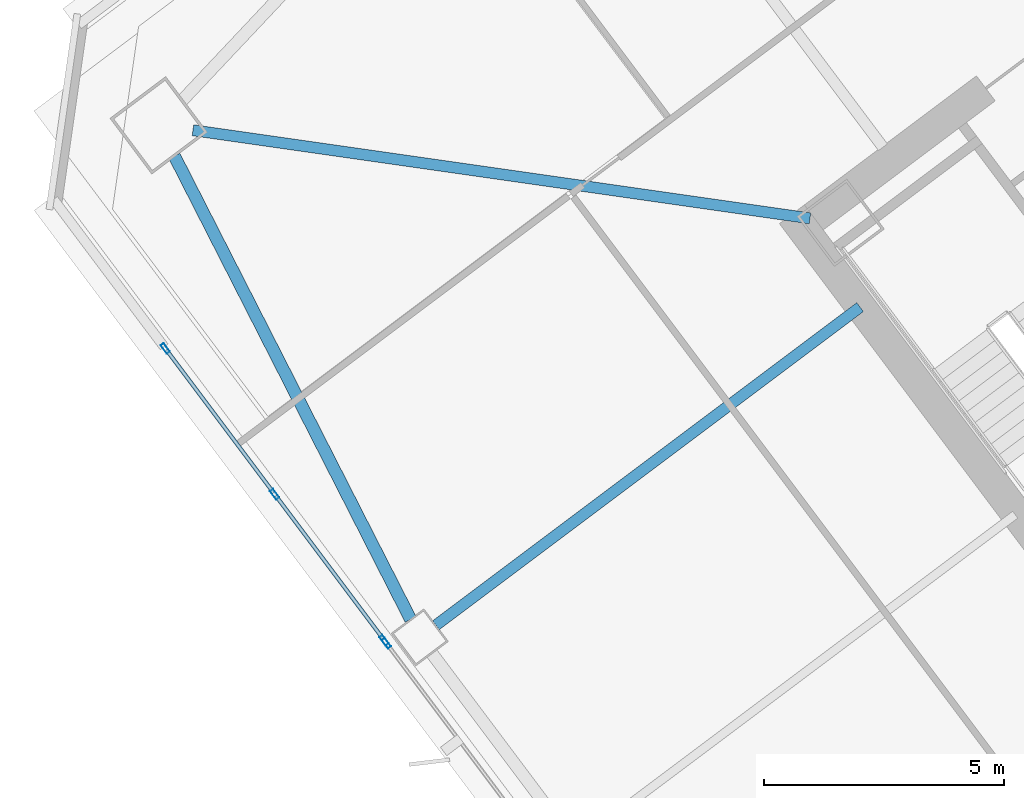
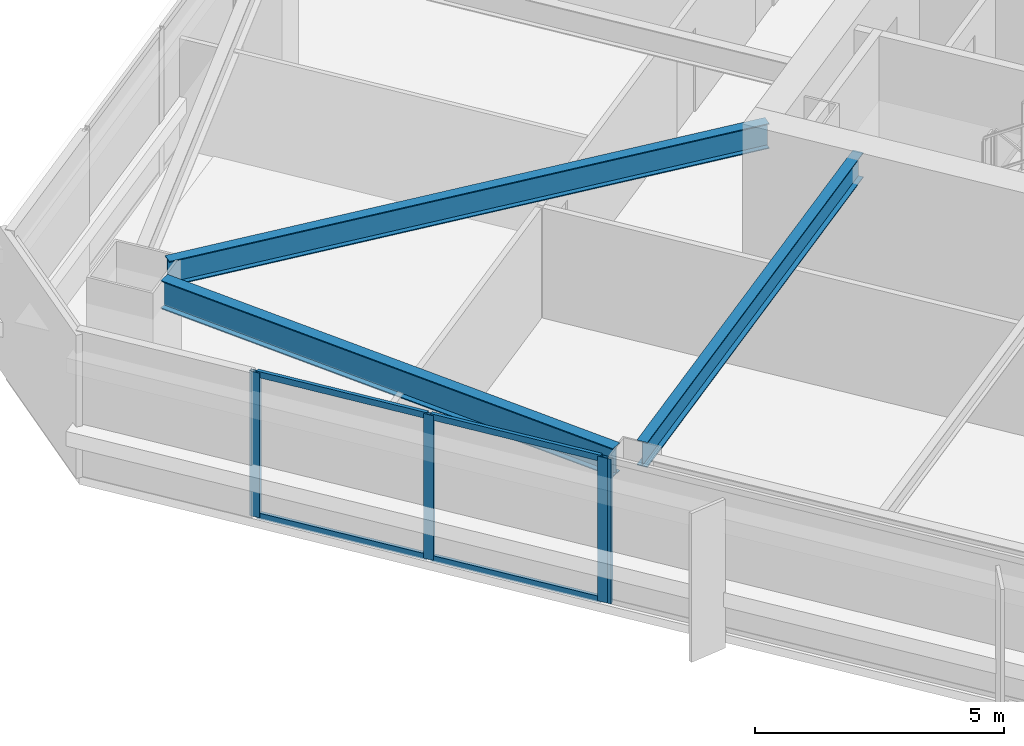
# One storey, part 23 of 49: 8 members, 3 beams, 2 elements without a shape of their own.
"""IFC4 building model written with IfcOpenShell, lengths in metres."""

from ifc_helpers import new_model, si_unit, direction, frame, origin, origin_2d, place, context, subcontext, project, spatial, hollow_rectangle, i_section, extrude, material, material_profile, profile_set, type_object, element, aggregate, save


model = new_model("IFC4")

# Units and contexts
model_context = context("Model", 3, precision=1e-05, world=origin(), true_north=direction((0.0, 1.0)))
body_context = subcontext(model_context, "Body", "Model", "MODEL_VIEW")
ifc_project = project(units=[si_unit("LENGTHUNIT", "METRE"), si_unit("AREAUNIT", "SQUARE_METRE"), si_unit("VOLUMEUNIT", "CUBIC_METRE"), si_unit("PLANEANGLEUNIT", "RADIAN"), si_unit("MASSUNIT", "GRAM", prefix="KILO")], contexts=[model_context])

# Site, building, storey
site_placement = place(None, origin())
site = spatial("IfcSite", under=ifc_project, at=site_placement, CompositionType="ELEMENT")
building_placement = place(site_placement, origin())
building = spatial("IfcBuilding", under=site, at=building_placement, Name="Tashvorn Skyway Center", CompositionType="ELEMENT")
storey_placement = place(building_placement, frame((0.0, 0.0, 70.75)))
storey = spatial("IfcBuildingStorey", under=building, at=storey_placement, Name="L18", CompositionType="ELEMENT", Elevation=70.75)

# Beams
ifc_material_1 = material(Name="Steel ASTM A992 Grade 50", Category="steel")
ifc_material_profile_1 = material_profile(ifc_material_1, i_section(OverallWidth=0.22998046875, OverallDepth=0.616943359375, WebThickness=0.01318359375, FlangeThickness=0.022216796875, at=origin_2d()), Name="W24X94")
ifc_profile_set_1 = profile_set([ifc_material_profile_1], Name="Steel ASTM A992 Grade 50")
beam_type_1 = type_object("IfcBeamType", Name="BM-BEAM-W24X94", PredefinedType="BEAM", material=ifc_profile_set_1)
beam_1_placement = place(storey_placement, frame((90.6328125, 35.338134765625, 3.04150390625), z_axis=(0.989949869571, -0.141418724841, 0.0), x_axis=(0.141418724841, 0.989949869571, 0.0)))
element("IfcBeam", 1, at=beam_1_placement, inside=storey, type_object=beam_type_1, Name="Tower 2 L18 Primary Floor Girder MC-NW", PredefinedType="BEAM", context=body_context, shape_type="SweptSolid", body=[
    extrude(i_section(OverallWidth=0.22998046875, OverallDepth=0.616943359375, WebThickness=0.01318359375, FlangeThickness=0.022216796875, at=origin_2d()), origin(), (0.0, 0.0, 1.0), 12.9892578125),
])
beam_2_placement = place(storey_placement, frame((95.696044921875, 25.02197265625, 3.04150390625), z_axis=(0.799989394625, 0.60001414024, 0.0), x_axis=(-0.60001414024, 0.799989394625, 0.0)))
element("IfcBeam", 2, at=beam_2_placement, inside=storey, type_object=beam_type_1, Name="Tower 2 L18 Primary Floor Girder FC-W1", PredefinedType="BEAM", context=body_context, shape_type="SweptSolid", body=[
    extrude(i_section(OverallWidth=0.22998046875, OverallDepth=0.616943359375, WebThickness=0.01318359375, FlangeThickness=0.022216796875, at=origin_2d()), origin(), (0.0, 0.0, 1.0), 11.050048828125),
])
ifc_material_profile_2 = material_profile(ifc_material_1, i_section(OverallWidth=0.256103515625, OverallDepth=0.693115234375, WebThickness=0.014404296875, FlangeThickness=0.023681640625, at=origin_2d()), Name="W27X114")
ifc_profile_set_2 = profile_set([ifc_material_profile_2], Name="Steel ASTM A992 Grade 50")
beam_type_2 = type_object("IfcBeamType", Name="BM-SPANDREL-W27X114", PredefinedType="SPANDREL", material=ifc_profile_set_2)
beam_3_placement = place(storey_placement, frame((90.2470703125, 34.798583984375, 3.00341796875), z_axis=(0.454210938961, -0.890894170442, 0.0), x_axis=(0.890894170442, 0.454210938961, 0.0)))
element("IfcBeam", 3, at=beam_3_placement, inside=storey, type_object=beam_type_2, Name="Tower 2 L18 Spandrel Beam 10", PredefinedType="SPANDREL", context=body_context, shape_type="SweptSolid", body=[
    extrude(i_section(OverallWidth=0.256103515625, OverallDepth=0.693115234375, WebThickness=0.014404296875, FlangeThickness=0.023681640625, at=origin_2d()), origin(), (0.0, 0.0, 1.0), 10.836669921875),
])

# Curtain wall, member
ifc_material_2 = material(Name="Thermally broken bronze-anodized aluminium 6063-T6", Category="aluminium")
curtain_wall_type = type_object("IfcCurtainWallType", Name="CW-CW-Z2", PredefinedType="NOTDEFINED", material=ifc_material_2)
curtain_wall_1_placement = place(storey_placement, origin())
curtain_wall_1 = element("IfcCurtainWall", 4, at=curtain_wall_1_placement, inside=storey, type_object=curtain_wall_type, Name="Tower 2 L18 West Unitised Curtain Wall Glazing Group 2", PredefinedType="NOTDEFINED")
ifc_material_profile_3 = material_profile(ifc_material_2, hollow_rectangle(XDim=0.080078125, YDim=0.219970703125, WallThickness=0.0048828125, at=origin_2d()), Name="ALU-MULL-80x220")
ifc_profile_set_3 = profile_set([ifc_material_profile_3], Name="Thermally broken bronze-anodized aluminium 6063-T6")
member_type_1 = type_object("IfcMemberType", Name="CWM-CW-Z2", PredefinedType="MULLION", material=ifc_profile_set_3)
member_1_placement = place(storey_placement, frame((94.6640625, 24.64794921875, 0.0), z_axis=(0.0, 0.0, 1.0), x_axis=(-0.799999999998, -0.600000000002, 0.0)))
member_1 = element("IfcMember", 5, at=member_1_placement, type_object=member_type_1, Name="CW-Z2 mullion 2", PredefinedType="MULLION", context=body_context, shape_type="SweptSolid", body=[
    extrude(hollow_rectangle(XDim=0.080078125, YDim=0.219970703125, WallThickness=0.0048828125, at=origin_2d()), origin(), (0.0, 0.0, 1.0), 3.550048828125),
])
aggregate(curtain_wall_1, [member_1])

# Curtain wall, members
curtain_wall_2_placement = place(storey_placement, origin())
curtain_wall_2 = element("IfcCurtainWall", 6, at=curtain_wall_2_placement, inside=storey, type_object=curtain_wall_type, Name="Tower 2 L18 West Unitised Curtain Wall Glazing Group 3", PredefinedType="NOTDEFINED")
member_2_placement = place(storey_placement, frame((94.615966796875, 24.7119140625, 0.0), z_axis=(0.0, 0.0, 1.0), x_axis=(-0.799999999998, -0.600000000002, 0.0)))
member_2 = element("IfcMember", 7, at=member_2_placement, type_object=member_type_1, Name="CW-Z2 mullion 1", PredefinedType="MULLION", context=body_context, shape_type="SweptSolid", body=[
    extrude(hollow_rectangle(XDim=0.080078125, YDim=0.219970703125, WallThickness=0.0048828125, at=origin_2d()), origin(), (0.0, 0.0, 1.0), 3.550048828125),
])
member_3_placement = place(storey_placement, frame((92.3359375, 27.751953125, 0.0), z_axis=(0.0, 0.0, 1.0), x_axis=(-0.799999999998, -0.600000000002, 0.0)))
member_3 = element("IfcMember", 8, at=member_3_placement, type_object=member_type_1, Name="CW-Z2 mullion 2", PredefinedType="MULLION", context=body_context, shape_type="SweptSolid", body=[
    extrude(hollow_rectangle(XDim=0.080078125, YDim=0.219970703125, WallThickness=0.0048828125, at=origin_2d()), origin(), (0.0, 0.0, 1.0), 3.550048828125),
])
member_4_placement = place(storey_placement, frame((90.055908203125, 30.7919921875, 0.0), z_axis=(0.0, 0.0, 1.0), x_axis=(-0.799999999998, -0.600000000002, 0.0)))
member_4 = element("IfcMember", 9, at=member_4_placement, type_object=member_type_1, Name="CW-Z2 mullion 3", PredefinedType="MULLION", context=body_context, shape_type="SweptSolid", body=[
    extrude(hollow_rectangle(XDim=0.080078125, YDim=0.219970703125, WallThickness=0.0048828125, at=origin_2d()), origin(), (0.0, 0.0, 1.0), 3.550048828125),
])
ifc_material_profile_4 = material_profile(ifc_material_2, hollow_rectangle(XDim=0.080078125, YDim=0.14990234375, WallThickness=0.00439453125, at=origin_2d()), Name="ALU-TRAN-80x150")
ifc_profile_set_4 = profile_set([ifc_material_profile_4], Name="Thermally broken bronze-anodized aluminium 6063-T6")
member_type_2 = type_object("IfcMemberType", Name="CWT-CW-Z2", PredefinedType="USERDEFINED", material=ifc_profile_set_4)
member_5_placement = place(storey_placement, frame((94.592041015625, 24.743896484375, 0.0400390625), z_axis=(-0.599978998559, 0.80001575065, 0.0), x_axis=(-0.80001575065, -0.599978998559, 0.0)))
member_5 = element("IfcMember", 10, at=member_5_placement, type_object=member_type_2, Name="CW-Z2 transom 1.1", ObjectType="TRANSOM", PredefinedType="USERDEFINED", context=body_context, shape_type="SweptSolid", body=[
    extrude(hollow_rectangle(XDim=0.080078125, YDim=0.14990234375, WallThickness=0.00439453125, at=origin_2d()), origin(), (0.0, 0.0, 1.0), 3.719970703125),
])
member_6_placement = place(storey_placement, frame((94.592041015625, 24.743896484375, 3.510009765625), z_axis=(-0.599978998559, 0.80001575065, 0.0), x_axis=(-0.80001575065, -0.599978998559, 0.0)))
member_6 = element("IfcMember", 11, at=member_6_placement, type_object=member_type_2, Name="CW-Z2 transom 1.2", ObjectType="TRANSOM", PredefinedType="USERDEFINED", context=body_context, shape_type="SweptSolid", body=[
    extrude(hollow_rectangle(XDim=0.080078125, YDim=0.14990234375, WallThickness=0.00439453125, at=origin_2d()), origin(), (0.0, 0.0, 1.0), 3.719970703125),
])
member_7_placement = place(storey_placement, frame((92.31201171875, 27.783935546875, 0.0400390625), z_axis=(-0.599978998559, 0.80001575065, 0.0), x_axis=(-0.80001575065, -0.599978998559, 0.0)))
member_7 = element("IfcMember", 12, at=member_7_placement, type_object=member_type_2, Name="CW-Z2 transom 2.1", ObjectType="TRANSOM", PredefinedType="USERDEFINED", context=body_context, shape_type="SweptSolid", body=[
    extrude(hollow_rectangle(XDim=0.080078125, YDim=0.14990234375, WallThickness=0.00439453125, at=origin_2d()), origin(), (0.0, 0.0, 1.0), 3.719970703125),
])
member_8_placement = place(storey_placement, frame((92.31201171875, 27.783935546875, 3.510009765625), z_axis=(-0.599978998559, 0.80001575065, 0.0), x_axis=(-0.80001575065, -0.599978998559, 0.0)))
member_8 = element("IfcMember", 13, at=member_8_placement, type_object=member_type_2, Name="CW-Z2 transom 2.2", ObjectType="TRANSOM", PredefinedType="USERDEFINED", context=body_context, shape_type="SweptSolid", body=[
    extrude(hollow_rectangle(XDim=0.080078125, YDim=0.14990234375, WallThickness=0.00439453125, at=origin_2d()), origin(), (0.0, 0.0, 1.0), 3.719970703125),
])
aggregate(curtain_wall_2, [member_2, member_3, member_4, member_5, member_6, member_7, member_8])

save(model, "model.ifc")
